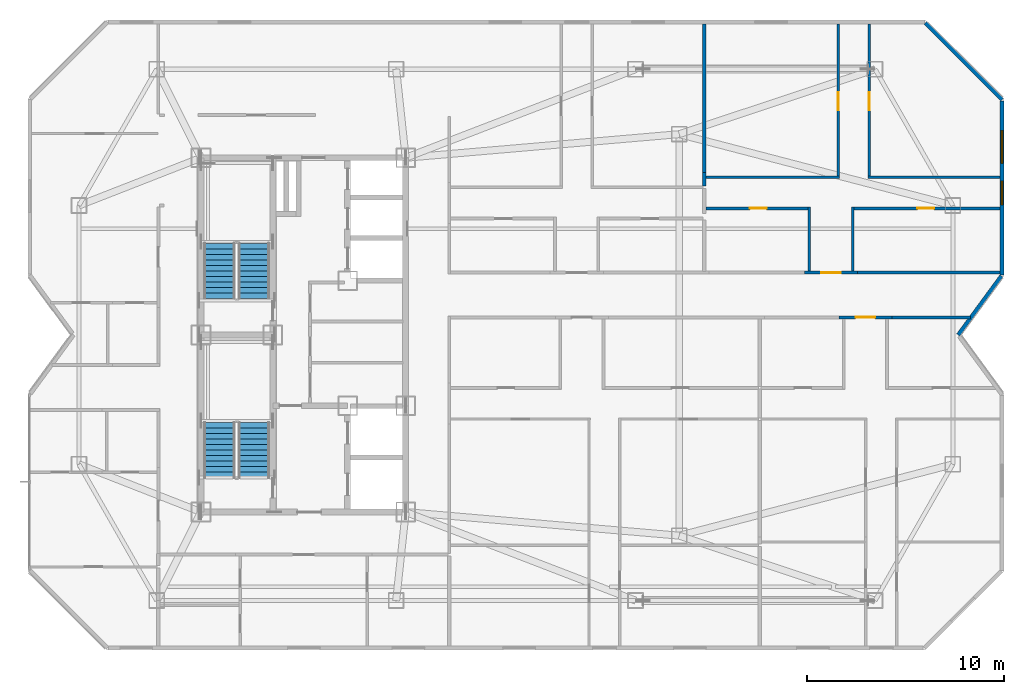
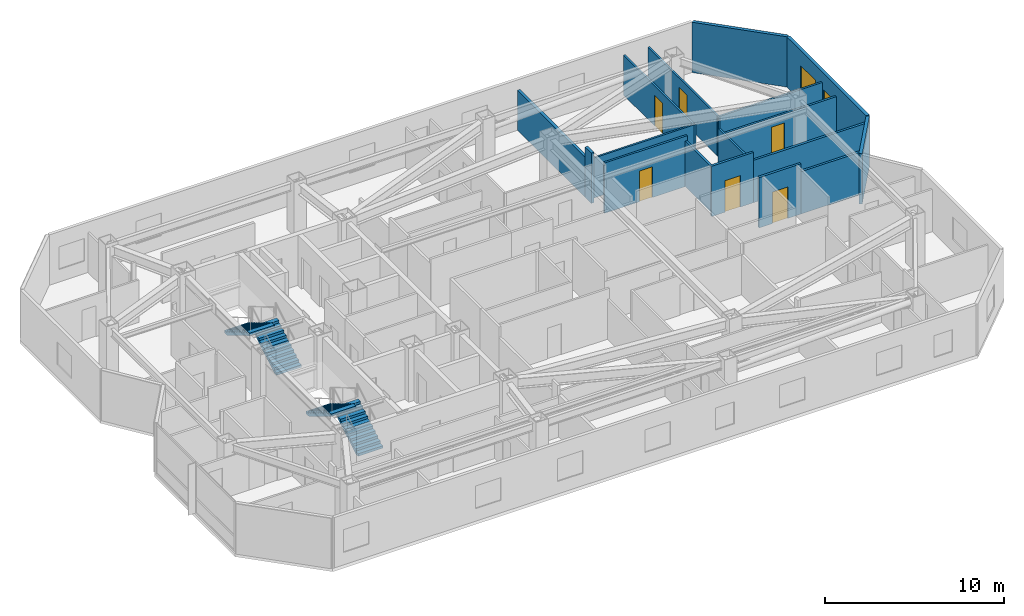
# One storey, part 12 of 14: 17 walls, 6 doors, 4 stair flights, 2 windows, 8 openings, 2 elements without a shape of their own.
"""IFC4 building model written with IfcOpenShell, lengths in metres."""

import ifcopenshell
import ifcopenshell.guid

model = None  # the IFC model being written
_history = None  # IfcOwnerHistory: only IFC2X3 demands one
_inside = {}  # id of a spatial element -> (the spatial element, [elements in it])
_under = {}  # id of a project, library or spatial element -> (it, [spatial elements below it])
_declared = {}  # id of a project -> (the project, [libraries it declares])
_typed = {}  # id of a type object -> (the type object, [elements of that type])
_made_of = {}  # id of a material, layer set ... -> (it, [elements and type objects made of it])


def new_model(schema):
    """Start an empty IFC model of exactly this schema.

    Asked for "IFC4X3", IfcOpenShell would pick the latest addendum, in which some entities
    have other attributes; the version numbers below select the first issue.
    IFC2X3 requires an IfcOwnerHistory on every rooted entity: one is made here for all.
    """
    global model, _history
    if schema == "IFC4X3":
        model = ifcopenshell.file(schema_version=(4, 3, 0, 0))
    else:
        model = ifcopenshell.file(schema=schema)
    _inside.clear()
    _under.clear()
    _declared.clear()
    _typed.clear()
    _made_of.clear()
    _history = None
    if model.schema == "IFC2X3":
        org = make("IfcOrganization", Name="unknown")
        user = make(
            "IfcPersonAndOrganization",
            ThePerson=make("IfcPerson", FamilyName="unknown"),
            TheOrganization=org,
        )
        app = make(
            "IfcApplication",
            ApplicationDeveloper=org,
            Version="unknown",
            ApplicationFullName="unknown",
            ApplicationIdentifier="unknown",
        )
        _history = make(
            "IfcOwnerHistory",
            OwningUser=user,
            OwningApplication=app,
            ChangeAction="ADDED",
            CreationDate=0,
        )
    return model


def make(cls, **values):
    """One entity of the class cls with the attributes given. An attribute that is None is left unset."""
    return model.create_entity(
        cls, **{name: value for name, value in values.items() if value is not None}
    )


def rooted(cls, **values):
    """An entity with a GlobalId (a new one), such as an element, a storey or a relation."""
    return make(cls, GlobalId=ifcopenshell.guid.new(), OwnerHistory=_history, **values)


def si_unit(unit_type, name, prefix=None):
    """IfcSIUnit, for example si_unit("LENGTHUNIT", "METRE", prefix="MILLI")."""
    return make("IfcSIUnit", UnitType=unit_type, Prefix=prefix, Name=name)


def assignment(units):
    """IfcUnitAssignment: the units of a project."""
    return None if units is None else make("IfcUnitAssignment", Units=units)


def point(xyz):
    """IfcCartesianPoint."""
    return None if xyz is None else make("IfcCartesianPoint", Coordinates=xyz)


def direction(xyz):
    """IfcDirection."""
    return None if xyz is None else make("IfcDirection", DirectionRatios=xyz)


def frame(location, z_axis=None, x_axis=None):
    """IfcAxis2Placement3D, a coordinate frame: its origin and axes. An axis left out is left unset."""
    return make(
        "IfcAxis2Placement3D",
        Location=point(location),
        Axis=direction(z_axis),
        RefDirection=direction(x_axis),
    )


def frame_2d(location, x_axis=None):
    """IfcAxis2Placement2D, a coordinate frame in the plane: its origin and x axis."""
    return make(
        "IfcAxis2Placement2D", Location=point(location), RefDirection=direction(x_axis)
    )


def origin():
    """The frame at (0, 0, 0) with its axes left unset."""
    return frame((0.0, 0.0, 0.0))


def place(relative_to, where):
    """IfcLocalPlacement: puts the frame where relative to a parent placement (None: the world)."""
    return make(
        "IfcLocalPlacement", PlacementRelTo=relative_to, RelativePlacement=where
    )


def context(
    kind, dimensions, precision=None, world=None, true_north=None, identifier=None
):
    """IfcGeometricRepresentationContext, for example the 3D "Model" context."""
    return make(
        "IfcGeometricRepresentationContext",
        ContextIdentifier=identifier,
        ContextType=kind,
        CoordinateSpaceDimension=dimensions,
        Precision=precision,
        WorldCoordinateSystem=world,
        TrueNorth=true_north,
    )


def subcontext(parent, identifier, kind, view, scale=None):
    """IfcGeometricRepresentationSubContext, for example "Body" below "Model"."""
    return make(
        "IfcGeometricRepresentationSubContext",
        ContextIdentifier=identifier,
        ContextType=kind,
        ParentContext=parent,
        TargetScale=scale,
        TargetView=view,
    )


def project(units=None, contexts=None):
    """IfcProject with its units and contexts."""
    return rooted(
        "IfcProject",
        Name="project",
        RepresentationContexts=contexts,
        UnitsInContext=assignment(units),
    )


def spatial(cls, under=None, at=None, **own):
    """A site, building, storey or space (cls), placed at a placement, below another one or the project."""
    s = rooted(cls, ObjectPlacement=at, **own)
    if under is not None:
        _under.setdefault(under.id(), (under, []))[1].append(s)
    return s


def polyline(points):
    """IfcPolyline through the points."""
    return make("IfcPolyline", Points=[point(p) for p in points])


def profile(cls, at=None, kind="AREA", **sizes):
    """A parametric profile (cls). Its sizes go by their IFC names, for example OverallWidth=200.0."""
    return make(cls, ProfileType=kind, Position=at, **sizes)


def rectangle(**sizes):
    """IfcRectangleProfileDef."""
    return profile("IfcRectangleProfileDef", **sizes)


def outline(outer, holes=None, kind="AREA"):
    """IfcArbitraryClosedProfileDef: a profile drawn as a closed curve; with holes, ...WithVoids."""
    if holes is None:
        return make("IfcArbitraryClosedProfileDef", ProfileType=kind, OuterCurve=outer)
    return make(
        "IfcArbitraryProfileDefWithVoids",
        ProfileType=kind,
        OuterCurve=outer,
        InnerCurves=holes,
    )


def extrude(swept, where, along, depth):
    """IfcExtrudedAreaSolid: the profile swept, set in the frame where, extruded along a direction by depth."""
    return make(
        "IfcExtrudedAreaSolid",
        SweptArea=swept,
        Position=where,
        ExtrudedDirection=direction(along),
        Depth=depth,
    )


def shape(context_of_items, identifier, shape_type, items):
    """IfcShapeRepresentation: the items that make up one representation, for example the "Body"."""
    return make(
        "IfcShapeRepresentation",
        ContextOfItems=context_of_items,
        RepresentationIdentifier=identifier,
        RepresentationType=shape_type,
        Items=items,
    )


def material(Name=None, Category=None):
    """IfcMaterial."""
    return make("IfcMaterial", Name=Name, Category=Category)


def layer(
    of_material, thickness, ventilated=None, Name=None, Category=None, Priority=None
):
    """IfcMaterialLayer: one layer of a wall or slab, of a material (None: an air gap)."""
    return make(
        "IfcMaterialLayer",
        Material=of_material,
        LayerThickness=thickness,
        IsVentilated=ventilated,
        Name=Name,
        Category=Category,
        Priority=Priority,
    )


def layer_set(layers, Name=None):
    """IfcMaterialLayerSet."""
    return make("IfcMaterialLayerSet", MaterialLayers=layers, LayerSetName=Name)


def made_of(thing, what):
    """Note that an element or type object is made of a material, layer set ...; save() writes the relation."""
    if what is not None:
        _made_of.setdefault(what.id(), (what, []))[1].append(thing)
    return thing


def type_object(cls, material=None, **own):
    """A type object (cls), such as IfcWallType, which elements share."""
    return made_of(rooted(cls, **own), material)


def element(
    cls,
    number,
    at=None,
    inside=None,
    cuts=None,
    type_object=None,
    material=None,
    context=None,
    identifier="Body",
    shape_type=None,
    held_by="IfcProductDefinitionShape",
    body=None,
    shapes=None,
    **own,
):
    """One element of the class cls, such as IfcWall. Its Tag is "e" and its number.

    at: its placement. inside: the storey or other place that contains it. cuts: it is an
    opening in that element (IfcRelVoidsElement). A single representation is given by context,
    identifier, shape_type and body (its items); several are given by shapes. held_by: the class
    of the entity that holds the representations. save() writes the other relations.
    """
    e = rooted(cls, Tag="e%d" % number, ObjectPlacement=at, **own)
    if body is not None:
        shapes = [shape(context, identifier, shape_type, body)]
    if shapes is not None:
        e.Representation = make(held_by, Representations=shapes)
    if inside is not None:
        _inside.setdefault(inside.id(), (inside, []))[1].append(e)
    if cuts is not None:
        rooted(
            "IfcRelVoidsElement", RelatingBuildingElement=cuts, RelatedOpeningElement=e
        )
    if type_object is not None:
        _typed.setdefault(type_object.id(), (type_object, []))[1].append(e)
    return made_of(e, material)


def fill(opening, filler):
    """IfcRelFillsElement: the door or window that sits in an opening."""
    return rooted(
        "IfcRelFillsElement",
        RelatingOpeningElement=opening,
        RelatedBuildingElement=filler,
    )


def aggregate(whole, parts):
    """IfcRelAggregates: a whole, such as a stair, and the parts it consists of."""
    return rooted("IfcRelAggregates", RelatingObject=whole, RelatedObjects=parts)


def save(model, path):
    """Write the relations noted so far, then the file.

    IfcRelAggregates (storeys below a building ...), IfcRelContainedInSpatialStructure (elements
    in a storey), IfcRelDefinesByType, IfcRelAssociatesMaterial and IfcRelDeclares: one each for
    every whole, place, type object, material and project.
    """
    for whole, parts in _under.values():
        aggregate(whole, parts)
    for where, things in _inside.values():
        rooted(
            "IfcRelContainedInSpatialStructure",
            RelatedElements=things,
            RelatingStructure=where,
        )
    for kind, things in _typed.values():
        rooted("IfcRelDefinesByType", RelatedObjects=things, RelatingType=kind)
    for what, things in _made_of.values():
        rooted("IfcRelAssociatesMaterial", RelatedObjects=things, RelatingMaterial=what)
    for by, libraries in _declared.values():
        rooted("IfcRelDeclares", RelatingContext=by, RelatedDefinitions=libraries)
    model.write(path)


model = new_model("IFC4")

# Units and contexts
model_context = context("Model", 3, precision=1e-05, world=origin(), true_north=direction((0.0, 1.0)))
body_context = subcontext(model_context, "Body", "Model", "MODEL_VIEW")
ifc_project = project(units=[si_unit("LENGTHUNIT", "METRE"), si_unit("AREAUNIT", "SQUARE_METRE"), si_unit("VOLUMEUNIT", "CUBIC_METRE"), si_unit("PLANEANGLEUNIT", "RADIAN"), si_unit("MASSUNIT", "GRAM", prefix="KILO")], contexts=[model_context])

# Site, building, storey
site_placement = place(None, origin())
site = spatial("IfcSite", under=ifc_project, at=site_placement, CompositionType="ELEMENT")
building_placement = place(site_placement, origin())
building = spatial("IfcBuilding", under=site, at=building_placement, Name="Khamvora Tower", CompositionType="ELEMENT")
storey_placement = place(building_placement, frame((0.0, 0.0, 242.75)))
storey = spatial("IfcBuildingStorey", under=building, at=storey_placement, Name="L62", CompositionType="ELEMENT", Elevation=242.75)

# Wall, opening, door
ifc_material_1 = material(Name="Fire-Rated Drywall and Steel Stud", Category="steel")
ifc_layer_1 = layer(ifc_material_1, 0.14990234375)
ifc_layer_set_1 = layer_set([ifc_layer_1], Name="Fire-Rated Drywall and Steel Stud")
wall_type_1 = type_object("IfcWallType", Name="WAL-CORR-150", PredefinedType="STANDARD", material=ifc_layer_set_1)
wall_1_placement = place(storey_placement, frame((64.10693359375, 28.885009765625, 0.0), z_axis=(0.0, 0.0, 1.0), x_axis=(-1.0, 0.0, 0.0)))
wall_1 = element("IfcWall", 1, at=wall_1_placement, inside=storey, type_object=wall_type_1, Name="L62 interior partition wall 027", PredefinedType="STANDARD", context=body_context, shape_type="SweptSolid", body=[
    extrude(rectangle(XDim=2.698974609375, YDim=0.14990234375, at=frame_2d((1.349609375, 0.0))), origin(), (0.0, 0.0, 1.0), 3.429931640625),
])
opening_1_placement = place(wall_1_placement, frame((0.85009765625, 0.0, 0.0)))
opening_1 = element("IfcOpeningElement", 2, at=opening_1_placement, cuts=wall_1, Name="Opening D-U1", PredefinedType="OPENING", context=body_context, shape_type="SweptSolid", body=[
    extrude(rectangle(XDim=1.0, YDim=2.14990234375, at=frame_2d((0.5, 1.074951171875))), frame((0.0, 0.0849609375, 0.0), z_axis=(0.0, -1.0, 0.0), x_axis=(1.0, 0.0, 0.0)), (0.0, 0.0, 1.0), 0.169921875),
])
ifc_material_2 = material(Name="Powder-Coated Steel and Hardwood Leaf", Category="steel")
door_type_1 = type_object("IfcDoorType", Name="DOR-UNIT-1000", OperationType="NOTDEFINED", PredefinedType="DOOR", material=ifc_material_2)
door_1_placement = place(opening_1_placement, origin())
door_1 = element("IfcDoor", 3, at=door_1_placement, inside=storey, type_object=door_type_1, Name="L62 interior door COR-62EBH", OperationType="SINGLE_SWING_LEFT", OverallHeight=2.14990234375, OverallWidth=1.0, PredefinedType="DOOR", context=body_context, shape_type="SweptSolid", body=[
    extrude(rectangle(XDim=1.0, YDim=2.14990234375, at=frame_2d((0.5, 1.074951171875))), frame((0.0, 0.02490234375, 0.0), z_axis=(0.0, -1.0, 0.0), x_axis=(1.0, 0.0, 0.0)), (0.0, 0.0, 1.0), 0.050048828125),
])
fill(opening_1, door_1)

# Wall
wall_2_placement = place(storey_placement, frame((68.095947265625, 28.885009765625, 0.0), z_axis=(0.0, 0.0, 1.0), x_axis=(-1.0, 0.0, 0.0)))
element("IfcWall", 4, at=wall_2_placement, inside=storey, type_object=wall_type_1, Name="L62 interior partition wall 029", PredefinedType="STANDARD", context=body_context, shape_type="SweptSolid", body=[
    extrude(rectangle(XDim=3.989013671875, YDim=0.14990234375, at=frame_2d((1.99462890625, 0.0))), origin(), (0.0, 0.0, 1.0), 2.886962890625),
])

# Wall, opening, door
wall_3_placement = place(storey_placement, frame((59.660888671875, 31.1650390625, 0.0), z_axis=(0.0, 0.0, 1.0), x_axis=(1.0, 0.0, 0.0)))
wall_3 = element("IfcWall", 5, at=wall_3_placement, inside=storey, type_object=wall_type_1, Name="L62 interior partition wall 036", PredefinedType="STANDARD", context=body_context, shape_type="SweptSolid", body=[
    extrude(rectangle(XDim=2.697998046875, YDim=0.14990234375, at=frame_2d((1.34912109375, 0.0))), origin(), (0.0, 0.0, 1.0), 3.429931640625),
])
opening_2_placement = place(wall_3_placement, frame((0.84912109375, 0.0, 0.0)))
opening_2 = element("IfcOpeningElement", 6, at=opening_2_placement, cuts=wall_3, Name="Opening D-U1", PredefinedType="OPENING", context=body_context, shape_type="SweptSolid", body=[
    extrude(rectangle(XDim=1.0, YDim=2.14990234375, at=frame_2d((0.5, 1.074951171875))), frame((0.0, 0.0849609375, 0.0), z_axis=(0.0, -1.0, 0.0), x_axis=(1.0, 0.0, 0.0)), (0.0, 0.0, 1.0), 0.169921875),
])
door_2_placement = place(opening_2_placement, origin())
door_2 = element("IfcDoor", 7, at=door_2_placement, inside=storey, type_object=door_type_1, Name="L62 interior door COR-62EC2H", OperationType="SINGLE_SWING_LEFT", OverallHeight=2.14990234375, OverallWidth=1.0, PredefinedType="DOOR", context=body_context, shape_type="SweptSolid", body=[
    extrude(rectangle(XDim=1.0, YDim=2.14990234375, at=frame_2d((0.5, 1.074951171875))), frame((0.0, 0.02490234375, 0.0), z_axis=(0.0, -1.0, 0.0), x_axis=(1.0, 0.0, 0.0)), (0.0, 0.0, 1.0), 0.050048828125),
])
fill(opening_2, door_2)

# Walls
wall_4_placement = place(storey_placement, frame((62.35888671875, 31.1650390625, 0.0), z_axis=(0.0, 0.0, 1.0), x_axis=(1.0, 0.0, 0.0)))
element("IfcWall", 8, at=wall_4_placement, inside=storey, type_object=wall_type_1, Name="L62 interior partition wall 038", PredefinedType="STANDARD", context=body_context, shape_type="SweptSolid", body=[
    extrude(rectangle(XDim=7.2490234375, YDim=0.14990234375, at=frame_2d((3.62451171875, 0.0))), origin(), (0.0, 0.0, 1.0), 2.886962890625),
])
ifc_material_3 = material(Name="Acoustic Double-Stud Fire Wall", Category="gypsum")
ifc_layer_2 = layer(ifc_material_3, 0.179931640625)
ifc_layer_set_2 = layer_set([ifc_layer_2], Name="Acoustic Double-Stud Fire Wall")
wall_type_2 = type_object("IfcWallType", Name="WAL-CORR-180", PredefinedType="STANDARD", material=ifc_layer_set_2)
wall_5_placement = place(storey_placement, frame((54.56494140625, 36.2529296875, 0.0), z_axis=(0.0, 0.0, 1.0), x_axis=(0.0, -1.0, 0.0)))
element("IfcWall", 9, at=wall_5_placement, inside=storey, type_object=wall_type_2, Name="L62 interior partition wall 096", PredefinedType="STANDARD", context=body_context, shape_type="SweptSolid", body=[
    extrude(rectangle(XDim=0.69384765625, YDim=0.179931640625, at=frame_2d((0.346923828125, 0.0))), origin(), (0.0, 0.0, 1.0), 3.429931640625),
])
wall_6_placement = place(storey_placement, frame((54.56494140625, 43.80810546875, 0.0), z_axis=(0.0, 0.0, 1.0), x_axis=(0.0, -1.0, 0.0)))
element("IfcWall", 10, at=wall_6_placement, inside=storey, type_object=wall_type_2, Name="L62 interior partition wall 097", PredefinedType="STANDARD", context=body_context, shape_type="SweptSolid", body=[
    extrude(rectangle(XDim=7.55517578125, YDim=0.179931640625, at=frame_2d((3.777587890625, 0.0))), origin(), (0.0, 0.0, 1.0), 2.72509765625),
])
ifc_material_4 = material(Name="Precast concrete C40/50", Category="concrete")
ifc_layer_3 = layer(ifc_material_4, 0.199951171875)
ifc_layer_set_3 = layer_set([ifc_layer_3], Name="Precast concrete C40/50")
wall_type_3 = type_object("IfcWallType", Name="WAL-EXT-200", PredefinedType="STANDARD", material=ifc_layer_set_3)
wall_7_placement = place(storey_placement, frame((65.802001953125, 43.85693359375, 0.0), z_axis=(0.0, 0.0, 1.0), x_axis=(0.707106781187, -0.707106781187, 0.0)))
element("IfcWall", 11, at=wall_7_placement, inside=storey, type_object=wall_type_3, Name="L62 exterior facade wall 08.1", PredefinedType="STANDARD", context=body_context, shape_type="SweptSolid", body=[
    extrude(rectangle(XDim=5.512451171875, YDim=0.199951171875, at=frame_2d((2.75634765625, 0.0))), origin(), (0.0, 0.0, 1.0), 3.429931640625),
])

# Wall, openings, windows
wall_8_placement = place(storey_placement, frame((69.699951171875, 39.89599609375, 0.0), z_axis=(0.0, 0.0, 1.0), x_axis=(0.0, -1.0, 0.0)))
wall_8 = element("IfcWall", 12, at=wall_8_placement, inside=storey, type_object=wall_type_3, Name="L62 exterior facade wall 09.1", PredefinedType="STANDARD", context=body_context, shape_type="SweptSolid", body=[
    extrude(rectangle(XDim=8.863037109375, YDim=0.199951171875, at=frame_2d((4.431640625, 0.0))), origin(), (0.0, 0.0, 1.0), 3.429931640625),
])
opening_3_placement = place(wall_8_placement, frame((4.08203125, 0.0, 0.800048828125)))
opening_3 = element("IfcOpeningElement", 13, at=opening_3_placement, cuts=wall_8, Name="Opening WN-03", PredefinedType="OPENING", context=body_context, shape_type="SweptSolid", body=[
    extrude(rectangle(XDim=1.199951171875, YDim=1.5, at=frame_2d((0.60009765625, 0.75))), frame((0.0, 0.10986328125, 0.0), z_axis=(0.0, -1.0, 0.0), x_axis=(1.0, 0.0, 0.0)), (0.0, 0.0, 1.0), 0.219970703125),
])
opening_4_placement = place(wall_8_placement, frame((1.512939453125, 0.0, 0.85009765625)))
opening_4 = element("IfcOpeningElement", 14, at=opening_4_placement, cuts=wall_8, Name="Opening WN-06", PredefinedType="OPENING", context=body_context, shape_type="SweptSolid", body=[
    extrude(rectangle(XDim=1.64990234375, YDim=1.550048828125, at=frame_2d((0.824951171875, 0.77490234375))), frame((0.0, 0.10986328125, 0.0), z_axis=(0.0, -1.0, 0.0), x_axis=(1.0, 0.0, 0.0)), (0.0, 0.0, 1.0), 0.219970703125),
])
ifc_material_5 = material(Name="Low-E Laminated Double Glazing", Category="glass")
window_type_1 = type_object("IfcWindowType", Name="WIN-VIS-1200x1500", PartitioningType="SINGLE_PANEL", PredefinedType="WINDOW", material=ifc_material_5)
window_1_placement = place(opening_3_placement, origin())
window_1 = element("IfcWindow", 15, at=window_1_placement, inside=storey, type_object=window_type_1, Name="L62 vision window 09.1.01", OverallHeight=1.5, OverallWidth=1.199951171875, PartitioningType="SINGLE_PANEL", PredefinedType="WINDOW", context=body_context, shape_type="SweptSolid", body=[
    extrude(rectangle(XDim=1.199951171875, YDim=1.5, at=frame_2d((0.60009765625, 0.75))), frame((0.0, 0.030029296875, 0.0), z_axis=(0.0, -1.0, 0.0), x_axis=(1.0, 0.0, 0.0)), (0.0, 0.0, 1.0), 0.06005859375),
])
fill(opening_3, window_1)
window_type_2 = type_object("IfcWindowType", Name="WIN-VIS-1650x1550", PartitioningType="SINGLE_PANEL", PredefinedType="WINDOW", material=ifc_material_5)
window_2_placement = place(opening_4_placement, origin())
window_2 = element("IfcWindow", 16, at=window_2_placement, inside=storey, type_object=window_type_2, Name="L62 vision window 09.1.02", OverallHeight=1.550048828125, OverallWidth=1.64990234375, PartitioningType="SINGLE_PANEL", PredefinedType="WINDOW", context=body_context, shape_type="SweptSolid", body=[
    extrude(rectangle(XDim=1.64990234375, YDim=1.550048828125, at=frame_2d((0.824951171875, 0.77490234375))), frame((0.0, 0.030029296875, 0.0), z_axis=(0.0, -1.0, 0.0), x_axis=(1.0, 0.0, 0.0)), (0.0, 0.0, 1.0), 0.06005859375),
])
fill(opening_4, window_2)

# Walls
wall_9_placement = place(storey_placement, frame((69.669921875, 30.991943359375, 0.0), z_axis=(0.0, 0.0, 1.0), x_axis=(-0.591320870733, -0.806436375566, 0.0)))
element("IfcWall", 17, at=wall_9_placement, inside=storey, type_object=wall_type_3, Name="L62 exterior facade wall 10.1", PredefinedType="STANDARD", context=body_context, shape_type="SweptSolid", body=[
    extrude(rectangle(XDim=3.7099609375, YDim=0.199951171875, at=frame_2d((1.85498046875, 0.0))), origin(), (0.0, 0.0, 1.0), 3.429931640625),
])
ifc_material_6 = material(Name="Gypsum Plasterboard Partition", Category="gypsum")
ifc_layer_4 = layer(ifc_material_6, 0.1201171875)
ifc_layer_set_4 = layer_set([ifc_layer_4], Name="Gypsum Plasterboard Partition")
wall_type_4 = type_object("IfcWallType", Name="WAL-PART-120", PredefinedType="PARTITIONING", material=ifc_layer_set_4)
wall_10_placement = place(storey_placement, frame((54.64697265625, 36.00390625, 0.0), z_axis=(0.0, 0.0, 1.0), x_axis=(1.0, 0.0, 0.0)))
element("IfcWall", 18, at=wall_10_placement, inside=storey, type_object=wall_type_4, Name="L62 interior partition wall 102", PredefinedType="PARTITIONING", context=body_context, shape_type="SweptSolid", body=[
    extrude(rectangle(XDim=6.79296875, YDim=0.1201171875, at=frame_2d((3.396484375, 0.0))), origin(), (0.0, 0.0, 1.0), 2.72509765625),
])

# Wall, opening, door
wall_11_placement = place(storey_placement, frame((61.375, 35.93896484375, 0.0), z_axis=(0.0, 0.0, 1.0), x_axis=(0.0, 1.0, 0.0)))
wall_11 = element("IfcWall", 19, at=wall_11_placement, inside=storey, type_object=wall_type_4, Name="L62 interior partition wall 103", PredefinedType="PARTITIONING", context=body_context, shape_type="SweptSolid", body=[
    extrude(rectangle(XDim=7.869140625, YDim=0.1201171875, at=frame_2d((3.9345703125, 0.0))), origin(), (0.0, 0.0, 1.0), 2.72509765625),
])
opening_5_placement = place(wall_11_placement, frame((3.48388671875, 0.0, 0.0)))
opening_5 = element("IfcOpeningElement", 20, at=opening_5_placement, cuts=wall_11, Name="Opening D-RM1", PredefinedType="OPENING", context=body_context, shape_type="SweptSolid", body=[
    extrude(rectangle(XDim=0.89990234375, YDim=2.10009765625, at=frame_2d((0.449951171875, 1.050048828125))), frame((0.0, 0.070068359375, 0.0), z_axis=(0.0, -1.0, 0.0), x_axis=(1.0, 0.0, 0.0)), (0.0, 0.0, 1.0), 0.14013671875),
])
door_type_2 = type_object("IfcDoorType", Name="DOR-ROOM-900", OperationType="NOTDEFINED", PredefinedType="DOOR", material=ifc_material_2)
door_3_placement = place(opening_5_placement, origin())
door_3 = element("IfcDoor", 21, at=door_3_placement, inside=storey, type_object=door_type_2, Name="L62 interior door 62EC2H-62EC2R1", OperationType="SINGLE_SWING_LEFT", OverallHeight=2.10009765625, OverallWidth=0.89990234375, PredefinedType="DOOR", context=body_context, shape_type="SweptSolid", body=[
    extrude(rectangle(XDim=0.89990234375, YDim=2.10009765625, at=frame_2d((0.449951171875, 1.050048828125))), frame((0.0, 0.02490234375, 0.0), z_axis=(0.0, -1.0, 0.0), x_axis=(1.0, 0.0, 0.0)), (0.0, 0.0, 1.0), 0.050048828125),
])
fill(opening_5, door_3)

wall_12_placement = place(storey_placement, frame((62.945068359375, 43.80810546875, 0.0), z_axis=(0.0, 0.0, 1.0), x_axis=(0.0, -1.0, 0.0)))
wall_12 = element("IfcWall", 22, at=wall_12_placement, inside=storey, type_object=wall_type_4, Name="L62 interior partition wall 104", PredefinedType="PARTITIONING", context=body_context, shape_type="SweptSolid", body=[
    extrude(rectangle(XDim=7.869140625, YDim=0.1201171875, at=frame_2d((3.9345703125, 0.0))), origin(), (0.0, 0.0, 1.0), 2.72509765625),
])
opening_6_placement = place(wall_12_placement, frame((3.48388671875, 0.0, 0.0)))
opening_6 = element("IfcOpeningElement", 23, at=opening_6_placement, cuts=wall_12, Name="Opening D-RM1", PredefinedType="OPENING", context=body_context, shape_type="SweptSolid", body=[
    extrude(rectangle(XDim=0.89990234375, YDim=2.10009765625, at=frame_2d((0.449951171875, 1.050048828125))), frame((0.0, 0.070068359375, 0.0), z_axis=(0.0, -1.0, 0.0), x_axis=(1.0, 0.0, 0.0)), (0.0, 0.0, 1.0), 0.14013671875),
])
door_4_placement = place(opening_6_placement, origin())
door_4 = element("IfcDoor", 24, at=door_4_placement, inside=storey, type_object=door_type_2, Name="L62 interior door 62EC2H-62EC2R2", OperationType="SINGLE_SWING_RIGHT", OverallHeight=2.10009765625, OverallWidth=0.89990234375, PredefinedType="DOOR", context=body_context, shape_type="SweptSolid", body=[
    extrude(rectangle(XDim=0.89990234375, YDim=2.10009765625, at=frame_2d((0.449951171875, 1.050048828125))), frame((0.0, 0.02490234375, 0.0), z_axis=(0.0, -1.0, 0.0), x_axis=(1.0, 0.0, 0.0)), (0.0, 0.0, 1.0), 0.050048828125),
])
fill(opening_6, door_4)

# Walls
wall_13_placement = place(storey_placement, frame((62.8798828125, 36.00390625, 0.0), z_axis=(0.0, 0.0, 1.0), x_axis=(1.0, 0.0, 0.0)))
element("IfcWall", 25, at=wall_13_placement, inside=storey, type_object=wall_type_4, Name="L62 interior partition wall 105", PredefinedType="PARTITIONING", context=body_context, shape_type="SweptSolid", body=[
    extrude(rectangle(XDim=6.72802734375, YDim=0.1201171875, at=frame_2d((3.364013671875, 0.0))), origin(), (0.0, 0.0, 1.0), 2.72509765625),
])
ifc_material_7 = material(Name="Moisture-Resistant Plasterboard Partition", Category="gypsum")
ifc_layer_5 = layer(ifc_material_7, 0.135009765625)
ifc_layer_set_5 = layer_set([ifc_layer_5], Name="Moisture-Resistant Plasterboard Partition")
wall_type_5 = type_object("IfcWallType", Name="WAL-WET-135", PredefinedType="PARTITIONING", material=ifc_layer_set_5)
wall_14_placement = place(storey_placement, frame((59.909912109375, 31.22998046875, 0.0), z_axis=(0.0, 0.0, 1.0), x_axis=(0.0, 1.0, 0.0)))
element("IfcWall", 26, at=wall_14_placement, inside=storey, type_object=wall_type_5, Name="L62 interior partition wall 098", PredefinedType="PARTITIONING", context=body_context, shape_type="SweptSolid", body=[
    extrude(rectangle(XDim=3.259033203125, YDim=0.135009765625, at=frame_2d((1.62939453125, 0.0))), origin(), (0.0, 0.0, 1.0), 3.10693359375),
])

# Wall, opening, door
wall_15_placement = place(storey_placement, frame((59.97509765625, 34.424072265625, 0.0), z_axis=(0.0, 0.0, 1.0), x_axis=(-1.0, 0.0, 0.0)))
wall_15 = element("IfcWall", 27, at=wall_15_placement, inside=storey, type_object=wall_type_5, Name="L62 interior partition wall 099", PredefinedType="PARTITIONING", context=body_context, shape_type="SweptSolid", body=[
    extrude(rectangle(XDim=5.328125, YDim=0.135009765625, at=frame_2d((2.6640625, 0.0))), origin(), (0.0, 0.0, 1.0), 3.429931640625),
])
opening_7_placement = place(wall_15_placement, frame((2.239013671875, 0.0, 0.0)))
opening_7 = element("IfcOpeningElement", 28, at=opening_7_placement, cuts=wall_15, Name="Opening D-WC1", PredefinedType="OPENING", context=body_context, shape_type="SweptSolid", body=[
    extrude(rectangle(XDim=0.85009765625, YDim=2.10009765625, at=frame_2d((0.425048828125, 1.050048828125))), frame((0.0, 0.077392578125, 0.0), z_axis=(0.0, -1.0, 0.0), x_axis=(1.0, 0.0, 0.0)), (0.0, 0.0, 1.0), 0.155029296875),
])
door_type_3 = type_object("IfcDoorType", Name="DOR-WET-850", OperationType="NOTDEFINED", PredefinedType="DOOR", material=ifc_material_2)
door_5_placement = place(opening_7_placement, origin())
door_5 = element("IfcDoor", 29, at=door_5_placement, inside=storey, type_object=door_type_3, Name="L62 interior door 62EC2H-62EC2B", OperationType="SINGLE_SWING_LEFT", OverallHeight=2.10009765625, OverallWidth=0.85009765625, PredefinedType="DOOR", context=body_context, shape_type="SweptSolid", body=[
    extrude(rectangle(XDim=0.85009765625, YDim=2.10009765625, at=frame_2d((0.425048828125, 1.050048828125))), frame((0.0, 0.02490234375, 0.0), z_axis=(0.0, -1.0, 0.0), x_axis=(1.0, 0.0, 0.0)), (0.0, 0.0, 1.0), 0.050048828125),
])
fill(opening_7, door_5)

wall_16_placement = place(storey_placement, frame((69.60791015625, 34.424072265625, 0.0), z_axis=(0.0, 0.0, 1.0), x_axis=(-1.0, 0.0, 0.0)))
wall_16 = element("IfcWall", 30, at=wall_16_placement, inside=storey, type_object=wall_type_5, Name="L62 interior partition wall 100", PredefinedType="PARTITIONING", context=body_context, shape_type="SweptSolid", body=[
    extrude(rectangle(XDim=7.56298828125, YDim=0.135009765625, at=frame_2d((3.781494140625, 0.0))), origin(), (0.0, 0.0, 1.0), 2.72509765625),
])
opening_8_placement = place(wall_16_placement, frame((3.35693359375, 0.0, 0.0)))
opening_8 = element("IfcOpeningElement", 31, at=opening_8_placement, cuts=wall_16, Name="Opening D-RM2", PredefinedType="OPENING", context=body_context, shape_type="SweptSolid", body=[
    extrude(rectangle(XDim=0.85009765625, YDim=2.10009765625, at=frame_2d((0.425048828125, 1.050048828125))), frame((0.0, 0.077392578125, 0.0), z_axis=(0.0, -1.0, 0.0), x_axis=(1.0, 0.0, 0.0)), (0.0, 0.0, 1.0), 0.155029296875),
])
door_type_4 = type_object("IfcDoorType", Name="DOR-ROOM-850", OperationType="NOTDEFINED", PredefinedType="DOOR", material=ifc_material_2)
door_6_placement = place(opening_8_placement, origin())
door_6 = element("IfcDoor", 32, at=door_6_placement, inside=storey, type_object=door_type_4, Name="L62 interior door 62EC2H-62EC2K", OperationType="SINGLE_SWING_RIGHT", OverallHeight=2.10009765625, OverallWidth=0.85009765625, PredefinedType="DOOR", context=body_context, shape_type="SweptSolid", body=[
    extrude(rectangle(XDim=0.85009765625, YDim=2.10009765625, at=frame_2d((0.425048828125, 1.050048828125))), frame((0.0, 0.02490234375, 0.0), z_axis=(0.0, -1.0, 0.0), x_axis=(1.0, 0.0, 0.0)), (0.0, 0.0, 1.0), 0.050048828125),
])
fill(opening_8, door_6)

# Wall
wall_17_placement = place(storey_placement, frame((62.110107421875, 34.489013671875, 0.0), z_axis=(0.0, 0.0, 1.0), x_axis=(0.0, -1.0, 0.0)))
element("IfcWall", 33, at=wall_17_placement, inside=storey, type_object=wall_type_5, Name="L62 interior partition wall 101", PredefinedType="PARTITIONING", context=body_context, shape_type="SweptSolid", body=[
    extrude(rectangle(XDim=3.259033203125, YDim=0.135009765625, at=frame_2d((1.62939453125, 0.0))), origin(), (0.0, 0.0, 1.0), 3.10693359375),
])

# Stair, stair flights
ifc_material_8 = material(Name="Concrete C40/50", Category="concrete")
stair_type_1 = type_object("IfcStairType", Name="STR-ST-01", PredefinedType="HALF_TURN_STAIR", material=ifc_material_8)
stair_1_placement = place(storey_placement, origin())
stair_1 = element("IfcStair", 34, at=stair_1_placement, inside=storey, type_object=stair_type_1, Name="L62 South Tower Exit Stair ST-01", PredefinedType="HALF_TURN_STAIR")
stair_flight_type_1 = type_object("IfcStairFlightType", Name="STF-ST-01", PredefinedType="STRAIGHT", material=ifc_material_8)
stair_flight_1_placement = place(storey_placement, frame((31.699951171875, 20.75, 0.0), z_axis=(0.0, 0.0, 1.0), x_axis=(0.0, 1.0, 0.0)))
stair_flight_1 = element("IfcStairFlight", 35, at=stair_flight_1_placement, type_object=stair_flight_type_1, Name="ST-01 flight 1", NumberOfRisers=11, NumberOfTreads=10, PredefinedType="STRAIGHT", RiserHeight=0.165909091, TreadLength=0.28, context=body_context, shape_type="SweptSolid", body=[
    extrude(outline(polyline([(0.0, 0.0), (0.0, 0.166015625), (0.280029296875, 0.166015625), (0.280029296875, 0.331787109375), (0.56005859375, 0.331787109375), (0.56005859375, 0.497802734375), (0.840087890625, 0.497802734375), (0.840087890625, 0.66357421875), (1.1201171875, 0.66357421875), (1.1201171875, 0.82958984375), (1.39990234375, 0.82958984375), (1.39990234375, 0.995361328125), (1.679931640625, 0.995361328125), (1.679931640625, 1.161376953125), (1.9599609375, 1.161376953125), (1.9599609375, 1.327392578125), (2.239990234375, 1.327392578125), (2.239990234375, 1.4931640625), (2.52001953125, 1.4931640625), (2.52001953125, 1.6591796875), (2.800048828125, 1.6591796875), (2.800048828125, 1.824951171875), (2.800048828125, 1.48486328125), (0.2939453125, 0.0), (0.0, 0.0)])), frame((0.0, 0.800048828125, 0.0), z_axis=(0.0, -1.0, 0.0), x_axis=(1.0, 0.0, 0.0)), (0.0, 0.0, 1.0), 1.60009765625),
])
stair_flight_2_placement = place(storey_placement, frame((29.949951171875, 23.550048828125, 1.824951171875), z_axis=(0.0, 0.0, 1.0), x_axis=(0.0, -1.0, 0.0)))
stair_flight_2 = element("IfcStairFlight", 36, at=stair_flight_2_placement, type_object=stair_flight_type_1, Name="ST-01 flight 2", NumberOfRisers=11, NumberOfTreads=10, PredefinedType="STRAIGHT", RiserHeight=0.165909091, TreadLength=0.28, context=body_context, shape_type="SweptSolid", body=[
    extrude(outline(polyline([(0.0, 0.0), (0.0, 0.166015625), (0.280029296875, 0.166015625), (0.280029296875, 0.331787109375), (0.56005859375, 0.331787109375), (0.56005859375, 0.497802734375), (0.840087890625, 0.497802734375), (0.840087890625, 0.66357421875), (1.1201171875, 0.66357421875), (1.1201171875, 0.82958984375), (1.39990234375, 0.82958984375), (1.39990234375, 0.995361328125), (1.679931640625, 0.995361328125), (1.679931640625, 1.161376953125), (1.9599609375, 1.161376953125), (1.9599609375, 1.327392578125), (2.239990234375, 1.327392578125), (2.239990234375, 1.4931640625), (2.52001953125, 1.4931640625), (2.52001953125, 1.6591796875), (2.800048828125, 1.6591796875), (2.800048828125, 1.824951171875), (2.800048828125, 1.48486328125), (0.2939453125, 0.0), (0.0, 0.0)])), frame((0.0, 0.800048828125, 0.0), z_axis=(0.0, -1.0, 0.0), x_axis=(1.0, 0.0, 0.0)), (0.0, 0.0, 1.0), 1.60009765625),
])
aggregate(stair_1, [stair_flight_1, stair_flight_2])

stair_type_2 = type_object("IfcStairType", Name="STR-ST-02", PredefinedType="HALF_TURN_STAIR", material=ifc_material_8)
stair_2_placement = place(storey_placement, origin())
stair_2 = element("IfcStair", 37, at=stair_2_placement, inside=storey, type_object=stair_type_2, Name="L62 North Tower Exit Stair ST-02", PredefinedType="HALF_TURN_STAIR")
stair_flight_type_2 = type_object("IfcStairFlightType", Name="STF-ST-02", PredefinedType="STRAIGHT", material=ifc_material_8)
stair_flight_3_placement = place(storey_placement, frame((31.699951171875, 29.85009765625, 0.0), z_axis=(0.0, 0.0, 1.0), x_axis=(0.0, 1.0, 0.0)))
stair_flight_3 = element("IfcStairFlight", 38, at=stair_flight_3_placement, type_object=stair_flight_type_2, Name="ST-02 flight 1", NumberOfRisers=11, NumberOfTreads=10, PredefinedType="STRAIGHT", RiserHeight=0.165909091, TreadLength=0.28, context=body_context, shape_type="SweptSolid", body=[
    extrude(outline(polyline([(0.0, 0.0), (0.0, 0.166015625), (0.280029296875, 0.166015625), (0.280029296875, 0.331787109375), (0.56005859375, 0.331787109375), (0.56005859375, 0.497802734375), (0.840087890625, 0.497802734375), (0.840087890625, 0.66357421875), (1.1201171875, 0.66357421875), (1.1201171875, 0.82958984375), (1.39990234375, 0.82958984375), (1.39990234375, 0.995361328125), (1.679931640625, 0.995361328125), (1.679931640625, 1.161376953125), (1.9599609375, 1.161376953125), (1.9599609375, 1.327392578125), (2.239990234375, 1.327392578125), (2.239990234375, 1.4931640625), (2.52001953125, 1.4931640625), (2.52001953125, 1.6591796875), (2.800048828125, 1.6591796875), (2.800048828125, 1.824951171875), (2.800048828125, 1.48486328125), (0.2939453125, 0.0), (0.0, 0.0)])), frame((0.0, 0.800048828125, 0.0), z_axis=(0.0, -1.0, 0.0), x_axis=(1.0, 0.0, 0.0)), (0.0, 0.0, 1.0), 1.60009765625),
])
stair_flight_4_placement = place(storey_placement, frame((29.949951171875, 32.64990234375, 1.824951171875), z_axis=(0.0, 0.0, 1.0), x_axis=(0.0, -1.0, 0.0)))
stair_flight_4 = element("IfcStairFlight", 39, at=stair_flight_4_placement, type_object=stair_flight_type_2, Name="ST-02 flight 2", NumberOfRisers=11, NumberOfTreads=10, PredefinedType="STRAIGHT", RiserHeight=0.165909091, TreadLength=0.28, context=body_context, shape_type="SweptSolid", body=[
    extrude(outline(polyline([(0.0, 0.0), (0.0, 0.166015625), (0.280029296875, 0.166015625), (0.280029296875, 0.331787109375), (0.56005859375, 0.331787109375), (0.56005859375, 0.497802734375), (0.840087890625, 0.497802734375), (0.840087890625, 0.66357421875), (1.1201171875, 0.66357421875), (1.1201171875, 0.82958984375), (1.39990234375, 0.82958984375), (1.39990234375, 0.995361328125), (1.679931640625, 0.995361328125), (1.679931640625, 1.161376953125), (1.9599609375, 1.161376953125), (1.9599609375, 1.327392578125), (2.239990234375, 1.327392578125), (2.239990234375, 1.4931640625), (2.52001953125, 1.4931640625), (2.52001953125, 1.6591796875), (2.800048828125, 1.6591796875), (2.800048828125, 1.824951171875), (2.800048828125, 1.48486328125), (0.2939453125, 0.0), (0.0, 0.0)])), frame((0.0, 0.800048828125, 0.0), z_axis=(0.0, -1.0, 0.0), x_axis=(1.0, 0.0, 0.0)), (0.0, 0.0, 1.0), 1.60009765625),
])
aggregate(stair_2, [stair_flight_3, stair_flight_4])

save(model, "model.ifc")
